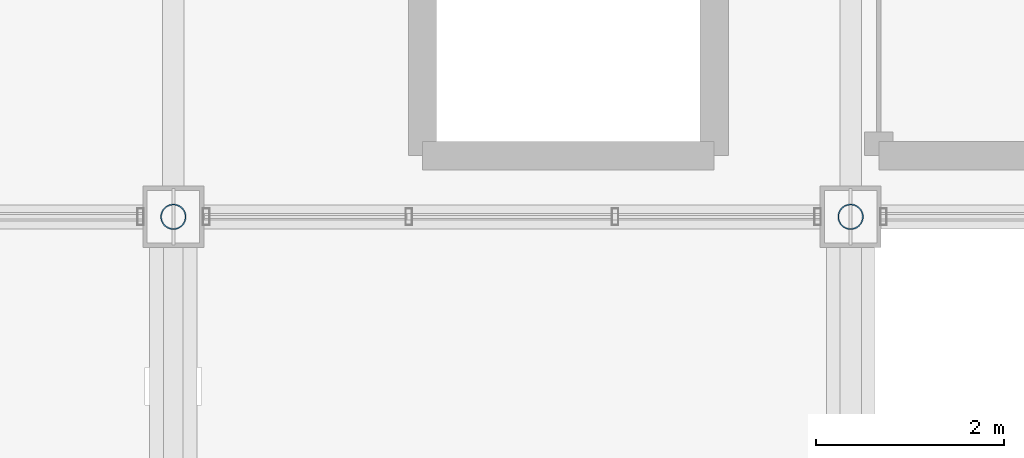
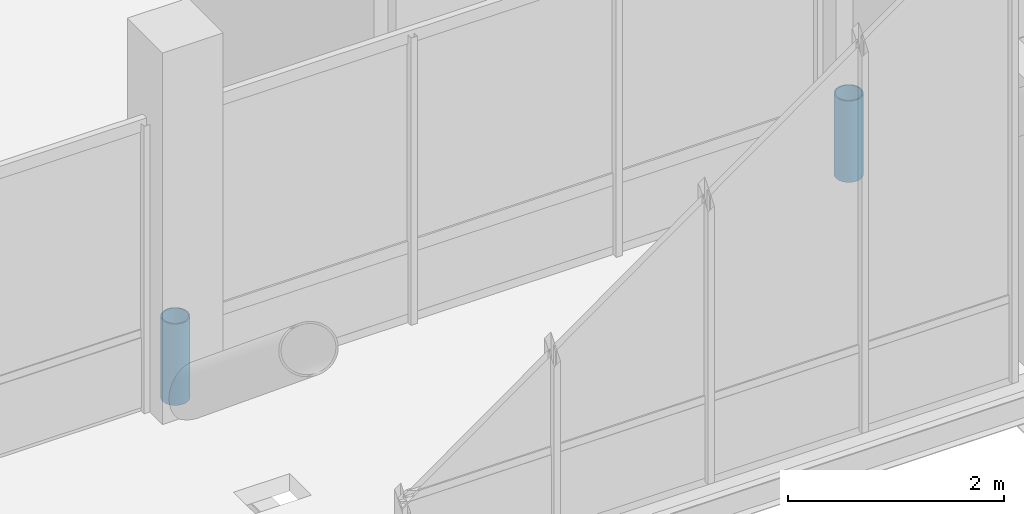
# One storey, part 73 of 102: 2 members.
"""IFC4 building model written with IfcOpenShell, lengths in metres."""

from ifc_helpers import new_model, si_unit, direction, frame, origin, origin_2d, place, context, subcontext, project, spatial, hollow_circle, extrude, material, material_profile, profile_set, type_object, element, save


model = new_model("IFC4")

# Units and contexts
model_context = context("Model", 3, precision=1e-05, world=origin(), true_north=direction((0.0, 1.0)))
body_context = subcontext(model_context, "Body", "Model", "MODEL_VIEW")
ifc_project = project(units=[si_unit("LENGTHUNIT", "METRE"), si_unit("AREAUNIT", "SQUARE_METRE"), si_unit("VOLUMEUNIT", "CUBIC_METRE"), si_unit("PLANEANGLEUNIT", "RADIAN"), si_unit("MASSUNIT", "GRAM", prefix="KILO")], contexts=[model_context])

# Site, building, storey
site_placement = place(None, origin())
site = spatial("IfcSite", under=ifc_project, at=site_placement, CompositionType="ELEMENT")
building_placement = place(site_placement, origin())
building = spatial("IfcBuilding", under=site, at=building_placement, Name="Yarey Park Central Fire Station", CompositionType="ELEMENT")
storey_placement = place(building_placement, frame((0.0, 0.0, 6.0)))
storey = spatial("IfcBuildingStorey", under=building, at=storey_placement, Name="L02", CompositionType="ELEMENT", Elevation=6.0)

# Members
ifc_material = material(Name="Steel ASTM A500 Gr. C", Category="steel")
ifc_material_profile = material_profile(ifc_material, hollow_circle(Radius=0.136474609375, WallThickness=0.012451171875, at=origin_2d()), Name="CHS 273x12.5")
ifc_profile_set = profile_set([ifc_material_profile], Name="Steel ASTM A500 Gr. C")
member_type = type_object("IfcMemberType", Name="STR_WEB_CHS273", PredefinedType="BRACE", material=ifc_profile_set)
for number, where, z_axis, x_axis, name in (
    (1, (129.60009765625, 93.60009765625, 0.0), (0.0, 0.0, 1.0), (1.0, 0.0, 0.0), "Arched Roof Truss ART_11 Vertical 9"),
    (2, (136.800048828125, 93.60009765625, 0.0), (0.0, 0.0, 1.0), (1.0, 0.0, 0.0), "Arched Roof Truss ART_12 Vertical 9"),
):
    element("IfcMember", number, at=place(storey_placement, frame(where, z_axis=z_axis, x_axis=x_axis)), inside=storey, type_object=member_type, Name=name, PredefinedType="BRACE", context=body_context, shape_type="SweptSolid", body=[
        extrude(hollow_circle(Radius=0.136474609375, WallThickness=0.012451171875, at=origin_2d()), origin(), (0.0, 0.0, 1.0), 0.919921875),
    ])

save(model, "model.ifc")
